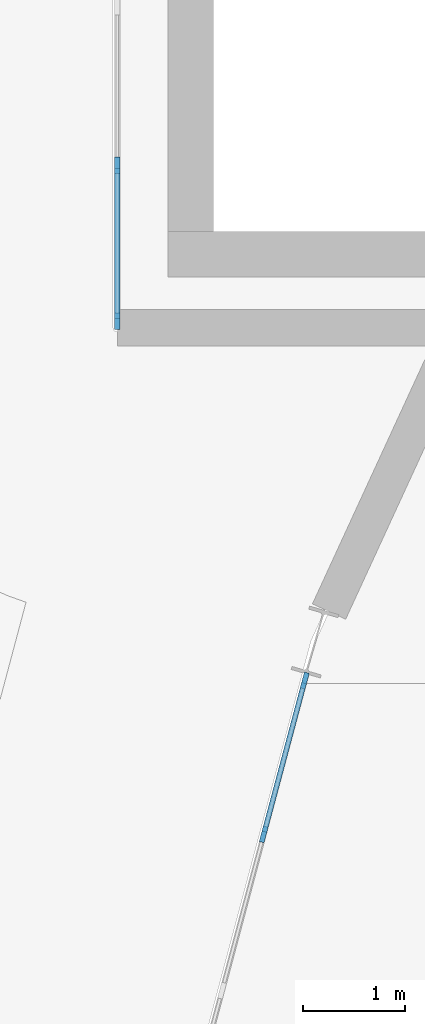
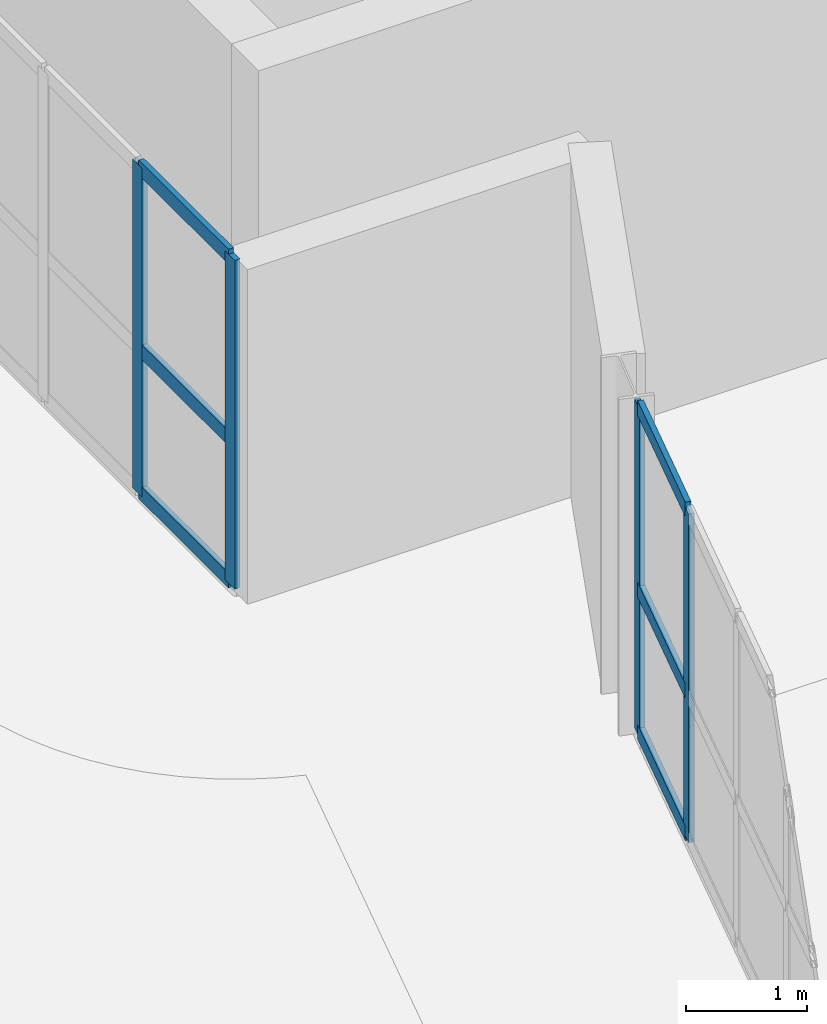
# One storey, part 13 of 40: 10 members, 2 elements without a shape of their own.
"""IFC4 building model written with IfcOpenShell, lengths in metres."""

from ifc_helpers import new_model, si_unit, direction, frame, origin, origin_2d, place, context, subcontext, project, spatial, rectangle, extrude, material, material_profile, profile_set, type_object, element, aggregate, save


model = new_model("IFC4")

# Units and contexts
model_context = context("Model", 3, precision=1e-05, world=origin(), true_north=direction((0.0, 1.0)))
body_context = subcontext(model_context, "Body", "Model", "MODEL_VIEW")
ifc_project = project(units=[si_unit("LENGTHUNIT", "METRE"), si_unit("AREAUNIT", "SQUARE_METRE"), si_unit("VOLUMEUNIT", "CUBIC_METRE"), si_unit("PLANEANGLEUNIT", "RADIAN"), si_unit("MASSUNIT", "GRAM", prefix="KILO")], contexts=[model_context])

# Site, building, storey
site_placement = place(None, origin())
site = spatial("IfcSite", under=ifc_project, at=site_placement, CompositionType="ELEMENT")
building_placement = place(site_placement, origin())
building = spatial("IfcBuilding", under=site, at=building_placement, Name="Glasvene Arena", CompositionType="ELEMENT")
storey_placement = place(building_placement, frame((0.0, 0.0, 24.0)))
storey = spatial("IfcBuildingStorey", under=building, at=storey_placement, Name="L05", CompositionType="ELEMENT", Elevation=24.0)

# Curtain wall, members
ifc_material_1 = material(Name="Low-emissivity laminated double glazing", Category="glass")
curtain_wall_type_1 = type_object("IfcCurtainWallType", Name="CW-FAC-L05-637x332", PredefinedType="USERDEFINED", material=ifc_material_1)
curtain_wall_1_placement = place(storey_placement, frame((42.710693359375, 80.396484375, 0.0)))
curtain_wall_1 = element("IfcCurtainWall", 1, at=curtain_wall_1_placement, inside=storey, type_object=curtain_wall_type_1, Name="Unitised curtain wall CW-F-L05-150-435-835-8", ObjectType="CURTAIN WALL", PredefinedType="USERDEFINED")
ifc_material_2 = material(Name="Anodised architectural aluminium", Category="aluminium")
ifc_material_profile_1 = material_profile(ifc_material_2, rectangle(XDim=0.050048828125, YDim=0.159912109375, at=origin_2d()), Name="ALU MULLION 50x160")
ifc_profile_set_1 = profile_set([ifc_material_profile_1], Name="Anodised architectural aluminium")
member_type_1 = type_object("IfcMemberType", Name="CW-MUL-150", PredefinedType="MULLION", material=ifc_profile_set_1)
member_1_placement = place(storey_placement, frame((43.942138671875, 85.012451171875, 0.06005859375), z_axis=(0.0, 0.0, 1.0), x_axis=(-0.966214613156, 0.257738862657, 0.0)))
member_1 = element("IfcMember", 2, at=member_1_placement, type_object=member_type_1, Name="CW-057 mullion 4", PredefinedType="MULLION", context=body_context, shape_type="SweptSolid", body=[
    extrude(rectangle(XDim=0.050048828125, YDim=0.159912109375, at=origin_2d()), origin(), (0.0, 0.0, 1.0), 3.31982421875),
])
member_2_placement = place(storey_placement, frame((44.34619140625, 86.527099609375, 0.06005859375), z_axis=(0.0, 0.0, 1.0), x_axis=(-0.966214613156, 0.257738862657, 0.0)))
member_2 = element("IfcMember", 3, at=member_2_placement, type_object=member_type_1, Name="CW-057 mullion 5", PredefinedType="MULLION", context=body_context, shape_type="SweptSolid", body=[
    extrude(rectangle(XDim=0.050048828125, YDim=0.159912109375, at=origin_2d()), origin(), (0.0, 0.0, 1.0), 3.31982421875),
])

curtain_wall_type_2 = type_object("IfcCurtainWallType", Name="CW-FAC-L05-1092x332", PredefinedType="USERDEFINED", material=ifc_material_1)
curtain_wall_2_placement = place(storey_placement, frame((42.5, 90.0400390625, 0.0)))
curtain_wall_2 = element("IfcCurtainWall", 4, at=curtain_wall_2_placement, inside=storey, type_object=curtain_wall_type_2, Name="Unitised curtain wall CW-F-L05-150-425-955-11", ObjectType="CURTAIN WALL", PredefinedType="USERDEFINED")
member_3_placement = place(storey_placement, frame((42.5, 90.06494140625, 0.06005859375), z_axis=(0.0, 0.0, 1.0), x_axis=(-1.0, 0.0, 0.0)))
member_3 = element("IfcMember", 5, at=member_3_placement, type_object=member_type_1, Name="CW-055 mullion 1", PredefinedType="MULLION", context=body_context, shape_type="SweptSolid", body=[
    extrude(rectangle(XDim=0.050048828125, YDim=0.159912109375, at=origin_2d()), origin(), (0.0, 0.0, 1.0), 3.31982421875),
])
member_4_placement = place(storey_placement, frame((42.5, 91.60009765625, 0.06005859375), z_axis=(0.0, 0.0, 1.0), x_axis=(-1.0, 0.0, 0.0)))
member_4 = element("IfcMember", 6, at=member_4_placement, type_object=member_type_1, Name="CW-055 mullion 2", PredefinedType="MULLION", context=body_context, shape_type="SweptSolid", body=[
    extrude(rectangle(XDim=0.050048828125, YDim=0.159912109375, at=origin_2d()), origin(), (0.0, 0.0, 1.0), 3.31982421875),
])

# Member
ifc_material_profile_2 = material_profile(ifc_material_2, rectangle(XDim=0.050048828125, YDim=0.14990234375, at=origin_2d()), Name="ALU TRANSOM 50x150")
ifc_profile_set_2 = profile_set([ifc_material_profile_2], Name="Anodised architectural aluminium")
member_type_2 = type_object("IfcMemberType", Name="CW-TRN-150", PredefinedType="USERDEFINED", material=ifc_profile_set_2)
member_5_placement = place(storey_placement, frame((43.948486328125, 85.03662109375, 0.0849609375), z_axis=(0.257722728091, 0.966218916926, 0.0), x_axis=(-0.966218916926, 0.257722728091, 0.0)))
member_5 = element("IfcMember", 7, at=member_5_placement, type_object=member_type_2, Name="CW-057 transom 4.1", ObjectType="TRANSOM", PredefinedType="USERDEFINED", context=body_context, shape_type="SweptSolid", body=[
    extrude(rectangle(XDim=0.050048828125, YDim=0.14990234375, at=origin_2d()), origin(), (0.0, 0.0, 1.0), 1.517578125),
])

member_6_placement = place(storey_placement, frame((43.948486328125, 85.03662109375, 1.52099609375), z_axis=(0.257722728091, 0.966218916926, 0.0), x_axis=(-0.966218916926, 0.257722728091, 0.0)))
member_6 = element("IfcMember", 8, at=member_6_placement, type_object=member_type_2, Name="CW-057 transom 4.2", ObjectType="TRANSOM", PredefinedType="USERDEFINED", context=body_context, shape_type="SweptSolid", body=[
    extrude(rectangle(XDim=0.050048828125, YDim=0.14990234375, at=origin_2d()), origin(), (0.0, 0.0, 1.0), 1.517578125),
])

member_7_placement = place(storey_placement, frame((43.948486328125, 85.03662109375, 3.35498046875), z_axis=(0.257722728091, 0.966218916926, 0.0), x_axis=(-0.966218916926, 0.257722728091, 0.0)))
member_7 = element("IfcMember", 9, at=member_7_placement, type_object=member_type_2, Name="CW-057 transom 4.3", ObjectType="TRANSOM", PredefinedType="USERDEFINED", context=body_context, shape_type="SweptSolid", body=[
    extrude(rectangle(XDim=0.050048828125, YDim=0.14990234375, at=origin_2d()), origin(), (0.0, 0.0, 1.0), 1.517578125),
])

aggregate(curtain_wall_1, [member_1, member_2, member_5, member_6, member_7])

member_8_placement = place(storey_placement, frame((42.5, 90.090087890625, 0.0849609375), z_axis=(0.0, 1.0, 0.0), x_axis=(-1.0, 0.0, 0.0)))
member_8 = element("IfcMember", 10, at=member_8_placement, type_object=member_type_2, Name="CW-055 transom 1.1", ObjectType="TRANSOM", PredefinedType="USERDEFINED", context=body_context, shape_type="SweptSolid", body=[
    extrude(rectangle(XDim=0.050048828125, YDim=0.14990234375, at=origin_2d()), origin(), (0.0, 0.0, 1.0), 1.48486328125),
])

member_9_placement = place(storey_placement, frame((42.5, 90.090087890625, 1.52099609375), z_axis=(0.0, 1.0, 0.0), x_axis=(-1.0, 0.0, 0.0)))
member_9 = element("IfcMember", 11, at=member_9_placement, type_object=member_type_2, Name="CW-055 transom 1.2", ObjectType="TRANSOM", PredefinedType="USERDEFINED", context=body_context, shape_type="SweptSolid", body=[
    extrude(rectangle(XDim=0.050048828125, YDim=0.14990234375, at=origin_2d()), origin(), (0.0, 0.0, 1.0), 1.48486328125),
])

member_10_placement = place(storey_placement, frame((42.5, 90.090087890625, 3.35498046875), z_axis=(0.0, 1.0, 0.0), x_axis=(-1.0, 0.0, 0.0)))
member_10 = element("IfcMember", 12, at=member_10_placement, type_object=member_type_2, Name="CW-055 transom 1.3", ObjectType="TRANSOM", PredefinedType="USERDEFINED", context=body_context, shape_type="SweptSolid", body=[
    extrude(rectangle(XDim=0.050048828125, YDim=0.14990234375, at=origin_2d()), origin(), (0.0, 0.0, 1.0), 1.48486328125),
])

aggregate(curtain_wall_2, [member_3, member_4, member_8, member_9, member_10])

save(model, "model.ifc")
